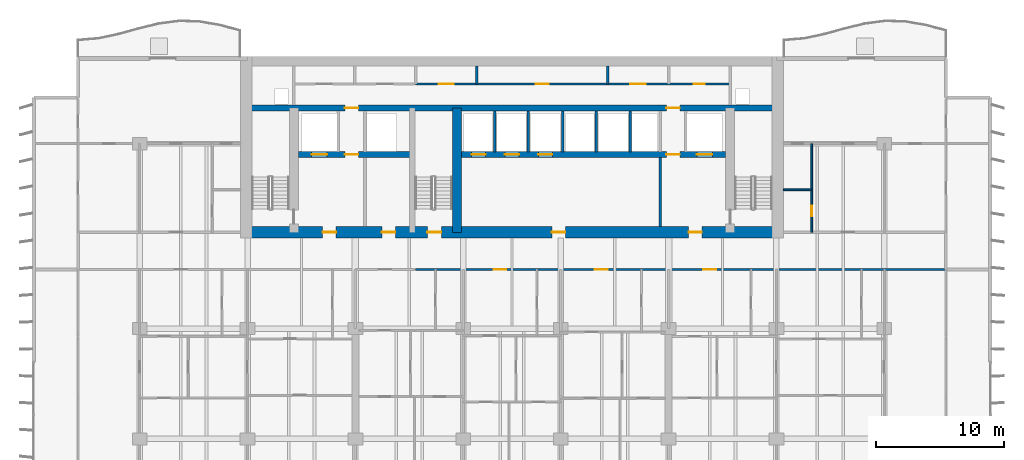
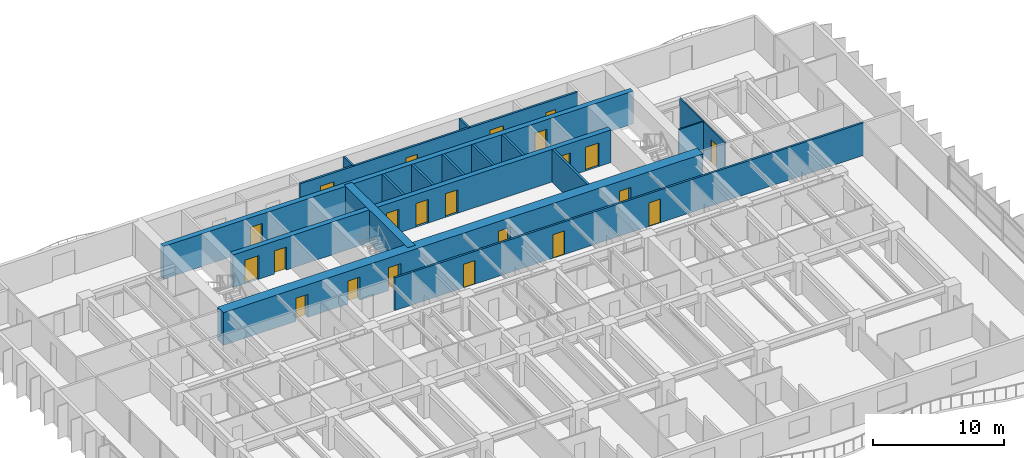
# One storey, part 11 of 18: 22 doors, 16 walls, 22 openings.
"""IFC4 building model written with IfcOpenShell, lengths in metres."""

from ifc_helpers import new_model, si_unit, direction, frame, frame_2d, origin, place, context, subcontext, project, spatial, rectangle, extrude, material, layer, layer_set, type_object, element, fill, save


model = new_model("IFC4")

# Units and contexts
model_context = context("Model", 3, precision=1e-05, world=origin(), true_north=direction((0.0, 1.0)))
body_context = subcontext(model_context, "Body", "Model", "MODEL_VIEW")
ifc_project = project(units=[si_unit("LENGTHUNIT", "METRE"), si_unit("AREAUNIT", "SQUARE_METRE"), si_unit("VOLUMEUNIT", "CUBIC_METRE"), si_unit("PLANEANGLEUNIT", "RADIAN"), si_unit("MASSUNIT", "GRAM", prefix="KILO")], contexts=[model_context])

# Site, building, storey
site_placement = place(None, origin())
site = spatial("IfcSite", under=ifc_project, at=site_placement, CompositionType="ELEMENT")
building_placement = place(site_placement, origin())
building = spatial("IfcBuilding", under=site, at=building_placement, Name="Caelmar Bay Residences", CompositionType="ELEMENT")
storey_placement = place(building_placement, frame((0.0, 0.0, 46.5)))
storey = spatial("IfcBuildingStorey", under=building, at=storey_placement, Name="L11", CompositionType="ELEMENT", Elevation=46.5)

# Wall
ifc_material_1 = material(Name="Concrete f'c 55 MPa (8,000 psi)", Category="concrete")
ifc_layer_1 = layer(ifc_material_1, 0.699951171875)
ifc_layer_set_1 = layer_set([ifc_layer_1], Name="Concrete f'c 55 MPa (8,000 psi)")
wall_type_1 = type_object("IfcWallType", Name="SW-COR-700", PredefinedType="SHEAR", material=ifc_layer_set_1)
wall_1_placement = place(storey_placement, frame((34.60009765625, 36.89990234375, 0.0), z_axis=(0.0, 0.0, 1.0), x_axis=(0.0, 1.0, 0.0)))
element("IfcWall", 1, at=wall_1_placement, inside=storey, type_object=wall_type_1, Name="L11 Core Structural Web Wall ST3E", PredefinedType="SHEAR", context=body_context, shape_type="SweptSolid", body=[
    extrude(rectangle(XDim=9.675048828125, YDim=0.699951171875, at=frame_2d((4.83740234375, 0.0))), origin(), (0.0, 0.0, 1.0), 3.050048828125),
])

# Wall, openings, doors
ifc_material_2 = material(Name="Concrete f'c 70 MPa (10,000 psi)", Category="concrete")
ifc_layer_2 = layer(ifc_material_2, 0.89990234375)
ifc_layer_set_2 = layer_set([ifc_layer_2], Name="Concrete f'c 70 MPa (10,000 psi)")
wall_type_2 = type_object("IfcWallType", Name="SW-COR-900", PredefinedType="SHEAR", material=ifc_layer_set_2)
wall_2_placement = place(storey_placement, frame((17.75, 36.89990234375, 0.0), z_axis=(0.0, 0.0, 1.0), x_axis=(1.0, 0.0, 0.0)))
wall_2 = element("IfcWall", 2, at=wall_2_placement, inside=storey, type_object=wall_type_2, Name="L11 Rear Core South Shear Wall", PredefinedType="SHEAR", context=body_context, shape_type="SweptSolid", body=[
    extrude(rectangle(XDim=42.300048828125, YDim=0.89990234375, at=frame_2d((21.14990234375, 0.0))), origin(), (0.0, 0.0, 1.0), 3.050048828125),
])
opening_1_placement = place(wall_2_placement, frame((14.550048828125, 0.0, 0.0)))
opening_1 = element("IfcOpeningElement", 3, at=opening_1_placement, cuts=wall_2, Name="Opening D-L11-106", PredefinedType="OPENING", context=body_context, shape_type="SweptSolid", body=[
    extrude(rectangle(XDim=1.10009765625, YDim=2.14990234375, at=frame_2d((0.550048828125, 1.074951171875))), frame((0.0, 0.4599609375, 0.0), z_axis=(0.0, -1.0, 0.0), x_axis=(1.0, 0.0, 0.0)), (0.0, 0.0, 1.0), 0.919921875),
])
opening_2_placement = place(wall_2_placement, frame((6.39990234375, 0.0, 0.0)))
opening_2 = element("IfcOpeningElement", 4, at=opening_2_placement, cuts=wall_2, Name="Opening D-L11-107", PredefinedType="OPENING", context=body_context, shape_type="SweptSolid", body=[
    extrude(rectangle(XDim=1.050048828125, YDim=2.14990234375, at=frame_2d((0.52490234375, 1.074951171875))), frame((0.0, 0.4599609375, 0.0), z_axis=(0.0, -1.0, 0.0), x_axis=(1.0, 0.0, 0.0)), (0.0, 0.0, 1.0), 0.919921875),
])
opening_3_placement = place(wall_2_placement, frame((34.89990234375, 0.0, 0.0)))
opening_3 = element("IfcOpeningElement", 5, at=opening_3_placement, cuts=wall_2, Name="Opening D-L11-110", PredefinedType="OPENING", context=body_context, shape_type="SweptSolid", body=[
    extrude(rectangle(XDim=1.050048828125, YDim=2.14990234375, at=frame_2d((0.52490234375, 1.074951171875))), frame((0.0, 0.4599609375, 0.0), z_axis=(0.0, -1.0, 0.0), x_axis=(1.0, 0.0, 0.0)), (0.0, 0.0, 1.0), 0.919921875),
])
opening_4_placement = place(wall_2_placement, frame((11.012451171875, 0.0, 0.0)))
opening_4 = element("IfcOpeningElement", 6, at=opening_4_placement, cuts=wall_2, Name="Opening D-L11-113", PredefinedType="OPENING", context=body_context, shape_type="SweptSolid", body=[
    extrude(rectangle(XDim=1.050048828125, YDim=2.14990234375, at=frame_2d((0.52490234375, 1.074951171875))), frame((0.0, 0.4599609375, 0.0), z_axis=(0.0, -1.0, 0.0), x_axis=(1.0, 0.0, 0.0)), (0.0, 0.0, 1.0), 0.919921875),
])
opening_5_placement = place(wall_2_placement, frame((24.25, 0.0, 0.0)))
opening_5 = element("IfcOpeningElement", 7, at=opening_5_placement, cuts=wall_2, Name="Opening D-L11-114", PredefinedType="OPENING", context=body_context, shape_type="SweptSolid", body=[
    extrude(rectangle(XDim=1.050048828125, YDim=2.14990234375, at=frame_2d((0.52490234375, 1.074951171875))), frame((0.0, 0.4599609375, 0.0), z_axis=(0.0, -1.0, 0.0), x_axis=(1.0, 0.0, 0.0)), (0.0, 0.0, 1.0), 0.919921875),
])
ifc_material_3 = material(Name="Fire-rated steel and walnut architectural door assembly", Category="steel")
ifc_layer_3 = layer(ifc_material_3, 0.050048828125)
ifc_layer_set_3 = layer_set([ifc_layer_3], Name="Fire-rated steel and walnut architectural door assembly")
door_type_1 = type_object("IfcDoorType", Name="D-FSAE-1050", OperationType="NOTDEFINED", PredefinedType="DOOR", material=ifc_layer_set_3)
door_1_placement = place(opening_2_placement, origin())
door_1 = element("IfcDoor", 8, at=door_1_placement, inside=storey, type_object=door_type_1, Name="L11 Firefighting Lobby West Door", OperationType="SINGLE_SWING_RIGHT", OverallHeight=2.14990234375, OverallWidth=1.050048828125, PredefinedType="DOOR", context=body_context, shape_type="SweptSolid", body=[
    extrude(rectangle(XDim=1.050048828125, YDim=2.14990234375, at=frame_2d((0.52490234375, 1.074951171875))), frame((0.0, 0.02490234375, 0.0), z_axis=(0.0, -1.0, 0.0), x_axis=(1.0, 0.0, 0.0)), (0.0, 0.0, 1.0), 0.050048828125),
])
fill(opening_2, door_1)
door_2_placement = place(opening_3_placement, origin())
door_2 = element("IfcDoor", 9, at=door_2_placement, inside=storey, type_object=door_type_1, Name="L11 Firefighting Lobby East Door", OperationType="SINGLE_SWING_LEFT", OverallHeight=2.14990234375, OverallWidth=1.050048828125, PredefinedType="DOOR", context=body_context, shape_type="SweptSolid", body=[
    extrude(rectangle(XDim=1.050048828125, YDim=2.14990234375, at=frame_2d((0.52490234375, 1.074951171875))), frame((0.0, 0.02490234375, 0.0), z_axis=(0.0, -1.0, 0.0), x_axis=(1.0, 0.0, 0.0)), (0.0, 0.0, 1.0), 0.050048828125),
])
fill(opening_3, door_2)
door_3_placement = place(opening_4_placement, origin())
door_3 = element("IfcDoor", 10, at=door_3_placement, inside=storey, type_object=door_type_1, Name="L11 West Lift Lobby Door", OperationType="SINGLE_SWING_RIGHT", OverallHeight=2.14990234375, OverallWidth=1.050048828125, PredefinedType="DOOR", context=body_context, shape_type="SweptSolid", body=[
    extrude(rectangle(XDim=1.050048828125, YDim=2.14990234375, at=frame_2d((0.52490234375, 1.074951171875))), frame((0.0, 0.02490234375, 0.0), z_axis=(0.0, -1.0, 0.0), x_axis=(1.0, 0.0, 0.0)), (0.0, 0.0, 1.0), 0.050048828125),
])
fill(opening_4, door_3)
door_4_placement = place(opening_5_placement, origin())
door_4 = element("IfcDoor", 11, at=door_4_placement, inside=storey, type_object=door_type_1, Name="L11 Passenger Lift Lobby Door", OperationType="SINGLE_SWING_LEFT", OverallHeight=2.14990234375, OverallWidth=1.050048828125, PredefinedType="DOOR", context=body_context, shape_type="SweptSolid", body=[
    extrude(rectangle(XDim=1.050048828125, YDim=2.14990234375, at=frame_2d((0.52490234375, 1.074951171875))), frame((0.0, 0.02490234375, 0.0), z_axis=(0.0, -1.0, 0.0), x_axis=(1.0, 0.0, 0.0)), (0.0, 0.0, 1.0), 0.050048828125),
])
fill(opening_5, door_4)
ifc_layer_4 = layer(ifc_material_3, 0.050048828125)
ifc_layer_set_4 = layer_set([ifc_layer_4], Name="Fire-rated steel and walnut architectural door assembly")
door_type_2 = type_object("IfcDoorType", Name="D-STAIR-1100", OperationType="NOTDEFINED", PredefinedType="DOOR", material=ifc_layer_set_4)
door_5_placement = place(opening_1_placement, origin())
door_5 = element("IfcDoor", 12, at=door_5_placement, inside=storey, type_object=door_type_2, Name="L11 Exit Stair ST3 Door", OperationType="SINGLE_SWING_LEFT", OverallHeight=2.14990234375, OverallWidth=1.10009765625, PredefinedType="DOOR", context=body_context, shape_type="SweptSolid", body=[
    extrude(rectangle(XDim=1.10009765625, YDim=2.14990234375, at=frame_2d((0.550048828125, 1.074951171875))), frame((0.0, 0.02490234375, 0.0), z_axis=(0.0, -1.0, 0.0), x_axis=(1.0, 0.0, 0.0)), (0.0, 0.0, 1.0), 0.050048828125),
])
fill(opening_1, door_5)

ifc_layer_5 = layer(ifc_material_2, 0.449951171875)
ifc_layer_set_5 = layer_set([ifc_layer_5], Name="Concrete f'c 70 MPa (10,000 psi)")
wall_type_3 = type_object("IfcWallType", Name="SW-WEB-450", PredefinedType="SHEAR", material=ifc_layer_set_5)
wall_3_placement = place(storey_placement, frame((22.25, 42.949951171875, 0.0), z_axis=(0.0, 0.0, 1.0), x_axis=(1.0, 0.0, 0.0)))
wall_3 = element("IfcWall", 13, at=wall_3_placement, inside=storey, type_object=wall_type_3, Name="L11 Core Structural Web Wall LFR", PredefinedType="SHEAR", context=body_context, shape_type="SweptSolid", body=[
    extrude(rectangle(XDim=33.300048828125, YDim=0.449951171875, at=frame_2d((16.64990234375, 0.0))), origin(), (0.0, 0.0, 1.0), 3.050048828125),
])
opening_6_placement = place(wall_3_placement, frame((1.050048828125, 0.0, 0.0)))
opening_6 = element("IfcOpeningElement", 14, at=opening_6_placement, cuts=wall_3, Name="Opening LD2", PredefinedType="OPENING", context=body_context, shape_type="SweptSolid", body=[
    extrude(rectangle(XDim=1.199951171875, YDim=2.199951171875, at=frame_2d((0.60009765625, 1.10009765625))), frame((0.0, 0.23486328125, 0.0), z_axis=(0.0, -1.0, 0.0), x_axis=(1.0, 0.0, 0.0)), (0.0, 0.0, 1.0), 0.469970703125),
])
opening_7_placement = place(wall_3_placement, frame((31.050048828125, 0.0, 0.0)))
opening_7 = element("IfcOpeningElement", 15, at=opening_7_placement, cuts=wall_3, Name="Opening LD2", PredefinedType="OPENING", context=body_context, shape_type="SweptSolid", body=[
    extrude(rectangle(XDim=1.199951171875, YDim=2.199951171875, at=frame_2d((0.60009765625, 1.10009765625))), frame((0.0, 0.23486328125, 0.0), z_axis=(0.0, -1.0, 0.0), x_axis=(1.0, 0.0, 0.0)), (0.0, 0.0, 1.0), 0.469970703125),
])
opening_8_placement = place(wall_3_placement, frame((13.5, 0.0, 0.0)))
opening_8 = element("IfcOpeningElement", 16, at=opening_8_placement, cuts=wall_3, Name="Opening LD1", PredefinedType="OPENING", context=body_context, shape_type="SweptSolid", body=[
    extrude(rectangle(XDim=1.10009765625, YDim=2.199951171875, at=frame_2d((0.550048828125, 1.10009765625))), frame((0.0, 0.23486328125, 0.0), z_axis=(0.0, -1.0, 0.0), x_axis=(1.0, 0.0, 0.0)), (0.0, 0.0, 1.0), 0.469970703125),
])
opening_9_placement = place(wall_3_placement, frame((16.10009765625, 0.0, 0.0)))
opening_9 = element("IfcOpeningElement", 17, at=opening_9_placement, cuts=wall_3, Name="Opening LD1", PredefinedType="OPENING", context=body_context, shape_type="SweptSolid", body=[
    extrude(rectangle(XDim=1.10009765625, YDim=2.199951171875, at=frame_2d((0.550048828125, 1.10009765625))), frame((0.0, 0.23486328125, 0.0), z_axis=(0.0, -1.0, 0.0), x_axis=(1.0, 0.0, 0.0)), (0.0, 0.0, 1.0), 0.469970703125),
])
opening_10_placement = place(wall_3_placement, frame((18.699951171875, 0.0, 0.0)))
opening_10 = element("IfcOpeningElement", 18, at=opening_10_placement, cuts=wall_3, Name="Opening LD1", PredefinedType="OPENING", context=body_context, shape_type="SweptSolid", body=[
    extrude(rectangle(XDim=1.10009765625, YDim=2.199951171875, at=frame_2d((0.550048828125, 1.10009765625))), frame((0.0, 0.23486328125, 0.0), z_axis=(0.0, -1.0, 0.0), x_axis=(1.0, 0.0, 0.0)), (0.0, 0.0, 1.0), 0.469970703125),
])
opening_11_placement = place(wall_3_placement, frame((3.625, 0.0, 0.0)))
opening_11 = element("IfcOpeningElement", 19, at=opening_11_placement, cuts=wall_3, Name="Opening D-L11-109", PredefinedType="OPENING", context=body_context, shape_type="SweptSolid", body=[
    extrude(rectangle(XDim=1.050048828125, YDim=2.14990234375, at=frame_2d((0.52490234375, 1.074951171875))), frame((0.0, 0.23486328125, 0.0), z_axis=(0.0, -1.0, 0.0), x_axis=(1.0, 0.0, 0.0)), (0.0, 0.0, 1.0), 0.469970703125),
])
opening_12_placement = place(wall_3_placement, frame((28.675048828125, 0.0, 0.0)))
opening_12 = element("IfcOpeningElement", 20, at=opening_12_placement, cuts=wall_3, Name="Opening D-L11-112", PredefinedType="OPENING", context=body_context, shape_type="SweptSolid", body=[
    extrude(rectangle(XDim=1.050048828125, YDim=2.14990234375, at=frame_2d((0.52490234375, 1.074951171875))), frame((0.0, 0.23486328125, 0.0), z_axis=(0.0, -1.0, 0.0), x_axis=(1.0, 0.0, 0.0)), (0.0, 0.0, 1.0), 0.469970703125),
])
door_6_placement = place(opening_11_placement, origin())
door_6 = element("IfcDoor", 21, at=door_6_placement, inside=storey, type_object=door_type_1, Name="L11 Firefighting Lobby West Door", OperationType="SINGLE_SWING_RIGHT", OverallHeight=2.14990234375, OverallWidth=1.050048828125, PredefinedType="DOOR", context=body_context, shape_type="SweptSolid", body=[
    extrude(rectangle(XDim=1.050048828125, YDim=2.14990234375, at=frame_2d((0.52490234375, 1.074951171875))), frame((0.0, 0.02490234375, 0.0), z_axis=(0.0, -1.0, 0.0), x_axis=(1.0, 0.0, 0.0)), (0.0, 0.0, 1.0), 0.050048828125),
])
fill(opening_11, door_6)
door_7_placement = place(opening_12_placement, origin())
door_7 = element("IfcDoor", 22, at=door_7_placement, inside=storey, type_object=door_type_1, Name="L11 Firefighting Lobby East Door", OperationType="SINGLE_SWING_LEFT", OverallHeight=2.14990234375, OverallWidth=1.050048828125, PredefinedType="DOOR", context=body_context, shape_type="SweptSolid", body=[
    extrude(rectangle(XDim=1.050048828125, YDim=2.14990234375, at=frame_2d((0.52490234375, 1.074951171875))), frame((0.0, 0.02490234375, 0.0), z_axis=(0.0, -1.0, 0.0), x_axis=(1.0, 0.0, 0.0)), (0.0, 0.0, 1.0), 0.050048828125),
])
fill(opening_12, door_7)
ifc_material_4 = material(Name="Brushed bronze stainless-steel fire-rated lift landing doors", Category="steel")
ifc_layer_6 = layer(ifc_material_4, 0.050048828125)
ifc_layer_set_6 = layer_set([ifc_layer_6], Name="Brushed bronze stainless-steel fire-rated lift landing doors")
door_type_3 = type_object("IfcDoorType", Name="D-LND-1100", OperationType="DOUBLE_DOOR_SLIDING", PredefinedType="DOOR", material=ifc_layer_set_6)
door_8_placement = place(opening_8_placement, origin())
door_8 = element("IfcDoor", 23, at=door_8_placement, inside=storey, type_object=door_type_3, Name="L11 LP1 Sliding Landing Door", OperationType="DOUBLE_DOOR_SLIDING", OverallHeight=2.199951171875, OverallWidth=1.10009765625, PredefinedType="DOOR", context=body_context, shape_type="SweptSolid", body=[
    extrude(rectangle(XDim=1.10009765625, YDim=2.199951171875, at=frame_2d((0.550048828125, 1.10009765625))), frame((0.0, 0.02490234375, 0.0), z_axis=(0.0, -1.0, 0.0), x_axis=(1.0, 0.0, 0.0)), (0.0, 0.0, 1.0), 0.050048828125),
])
fill(opening_8, door_8)
door_9_placement = place(opening_9_placement, origin())
door_9 = element("IfcDoor", 24, at=door_9_placement, inside=storey, type_object=door_type_3, Name="L11 LP2 Sliding Landing Door", OperationType="DOUBLE_DOOR_SLIDING", OverallHeight=2.199951171875, OverallWidth=1.10009765625, PredefinedType="DOOR", context=body_context, shape_type="SweptSolid", body=[
    extrude(rectangle(XDim=1.10009765625, YDim=2.199951171875, at=frame_2d((0.550048828125, 1.10009765625))), frame((0.0, 0.02490234375, 0.0), z_axis=(0.0, -1.0, 0.0), x_axis=(1.0, 0.0, 0.0)), (0.0, 0.0, 1.0), 0.050048828125),
])
fill(opening_9, door_9)
door_10_placement = place(opening_10_placement, origin())
door_10 = element("IfcDoor", 25, at=door_10_placement, inside=storey, type_object=door_type_3, Name="L11 LP3 Sliding Landing Door", OperationType="DOUBLE_DOOR_SLIDING", OverallHeight=2.199951171875, OverallWidth=1.10009765625, PredefinedType="DOOR", context=body_context, shape_type="SweptSolid", body=[
    extrude(rectangle(XDim=1.10009765625, YDim=2.199951171875, at=frame_2d((0.550048828125, 1.10009765625))), frame((0.0, 0.02490234375, 0.0), z_axis=(0.0, -1.0, 0.0), x_axis=(1.0, 0.0, 0.0)), (0.0, 0.0, 1.0), 0.050048828125),
])
fill(opening_10, door_10)
ifc_material_5 = material(Name="Brushed stainless-steel FSAE sliding landing door", Category="steel")
ifc_layer_7 = layer(ifc_material_5, 0.050048828125)
ifc_layer_set_7 = layer_set([ifc_layer_7], Name="Brushed stainless-steel FSAE sliding landing door")
door_type_4 = type_object("IfcDoorType", Name="D-LND-1200", OperationType="DOUBLE_DOOR_SLIDING", PredefinedType="DOOR", material=ifc_layer_set_7)
door_11_placement = place(opening_6_placement, origin())
door_11 = element("IfcDoor", 26, at=door_11_placement, inside=storey, type_object=door_type_4, Name="L11 LF1 Sliding Landing Door", OperationType="DOUBLE_DOOR_SLIDING", OverallHeight=2.199951171875, OverallWidth=1.199951171875, PredefinedType="DOOR", context=body_context, shape_type="SweptSolid", body=[
    extrude(rectangle(XDim=1.199951171875, YDim=2.199951171875, at=frame_2d((0.60009765625, 1.10009765625))), frame((0.0, 0.02490234375, 0.0), z_axis=(0.0, -1.0, 0.0), x_axis=(1.0, 0.0, 0.0)), (0.0, 0.0, 1.0), 0.050048828125),
])
fill(opening_6, door_11)
door_12_placement = place(opening_7_placement, origin())
door_12 = element("IfcDoor", 27, at=door_12_placement, inside=storey, type_object=door_type_4, Name="L11 LF2 Sliding Landing Door", OperationType="DOUBLE_DOOR_SLIDING", OverallHeight=2.199951171875, OverallWidth=1.199951171875, PredefinedType="DOOR", context=body_context, shape_type="SweptSolid", body=[
    extrude(rectangle(XDim=1.199951171875, YDim=2.199951171875, at=frame_2d((0.60009765625, 1.10009765625))), frame((0.0, 0.02490234375, 0.0), z_axis=(0.0, -1.0, 0.0), x_axis=(1.0, 0.0, 0.0)), (0.0, 0.0, 1.0), 0.050048828125),
])
fill(opening_7, door_12)

wall_4_placement = place(storey_placement, frame((18.199951171875, 46.574951171875, 0.0), z_axis=(0.0, 0.0, 1.0), x_axis=(1.0, 0.0, 0.0)))
wall_4 = element("IfcWall", 28, at=wall_4_placement, inside=storey, type_object=wall_type_3, Name="L11 Core Structural Web Wall SRVS", PredefinedType="SHEAR", context=body_context, shape_type="SweptSolid", body=[
    extrude(rectangle(XDim=41.400146484375, YDim=0.449951171875, at=frame_2d((20.7001953125, 0.0))), origin(), (0.0, 0.0, 1.0), 3.050048828125),
])
opening_13_placement = place(wall_4_placement, frame((7.675048828125, 0.0, 0.0)))
opening_13 = element("IfcOpeningElement", 29, at=opening_13_placement, cuts=wall_4, Name="Opening D-L11-115", PredefinedType="OPENING", context=body_context, shape_type="SweptSolid", body=[
    extrude(rectangle(XDim=1.050048828125, YDim=2.14990234375, at=frame_2d((0.52490234375, 1.074951171875))), frame((0.0, 0.23486328125, 0.0), z_axis=(0.0, -1.0, 0.0), x_axis=(1.0, 0.0, 0.0)), (0.0, 0.0, 1.0), 0.469970703125),
])
opening_14_placement = place(wall_4_placement, frame((32.72509765625, 0.0, 0.0)))
opening_14 = element("IfcOpeningElement", 30, at=opening_14_placement, cuts=wall_4, Name="Opening D-L11-116", PredefinedType="OPENING", context=body_context, shape_type="SweptSolid", body=[
    extrude(rectangle(XDim=1.050048828125, YDim=2.14990234375, at=frame_2d((0.52490234375, 1.074951171875))), frame((0.0, 0.23486328125, 0.0), z_axis=(0.0, -1.0, 0.0), x_axis=(1.0, 0.0, 0.0)), (0.0, 0.0, 1.0), 0.469970703125),
])
door_13_placement = place(opening_13_placement, origin())
door_13 = element("IfcDoor", 31, at=door_13_placement, inside=storey, type_object=door_type_1, Name="L11 Core Service Corridor Door", OperationType="SINGLE_SWING_RIGHT", OverallHeight=2.14990234375, OverallWidth=1.050048828125, PredefinedType="DOOR", context=body_context, shape_type="SweptSolid", body=[
    extrude(rectangle(XDim=1.050048828125, YDim=2.14990234375, at=frame_2d((0.52490234375, 1.074951171875))), frame((0.0, 0.02490234375, 0.0), z_axis=(0.0, -1.0, 0.0), x_axis=(1.0, 0.0, 0.0)), (0.0, 0.0, 1.0), 0.050048828125),
])
fill(opening_13, door_13)
door_14_placement = place(opening_14_placement, origin())
door_14 = element("IfcDoor", 32, at=door_14_placement, inside=storey, type_object=door_type_1, Name="L11 Core Service Corridor Door", OperationType="SINGLE_SWING_LEFT", OverallHeight=2.14990234375, OverallWidth=1.050048828125, PredefinedType="DOOR", context=body_context, shape_type="SweptSolid", body=[
    extrude(rectangle(XDim=1.050048828125, YDim=2.14990234375, at=frame_2d((0.52490234375, 1.074951171875))), frame((0.0, 0.02490234375, 0.0), z_axis=(0.0, -1.0, 0.0), x_axis=(1.0, 0.0, 0.0)), (0.0, 0.0, 1.0), 0.050048828125),
])
fill(opening_14, door_14)

# Walls
ifc_material_6 = material(Name="Double-stud acoustic fire-rated gypsum partition 180 mm")
ifc_layer_8 = layer(ifc_material_6, 0.179931640625)
ifc_layer_set_8 = layer_set([ifc_layer_8], Name="Double-stud acoustic fire-rated gypsum partition 180 mm")
wall_type_4 = type_object("IfcWallType", Name="W-COR-200", PredefinedType="PARTITIONING", material=ifc_layer_set_8)
for number, where, z_axis, x_axis, name in (
    (33, (36.14990234375, 48.449951171875, 0.0), (0.0, 0.0, 1.0), (0.0, 1.0, 0.0), "L11 Partition Wall V051"),
    (34, (46.35009765625, 48.449951171875, 0.0), (0.0, 0.0, 1.0), (0.0, 1.0, 0.0), "L11 Partition Wall V069"),
):
    element("IfcWall", number, at=place(storey_placement, frame(where, z_axis=z_axis, x_axis=x_axis)), inside=storey, type_object=wall_type_4, Name=name, PredefinedType="PARTITIONING", context=body_context, shape_type="SweptSolid", body=[
        extrude(rectangle(XDim=1.405029296875, YDim=0.179931640625, at=frame_2d((0.70263671875, 0.0))), origin(), (0.0, 0.0, 1.0), 3.050048828125),
    ])

# Wall, openings, doors
wall_5_placement = place(storey_placement, frame((31.39990234375, 34.0, 0.0), z_axis=(0.0, 0.0, 1.0), x_axis=(1.0, 0.0, 0.0)))
wall_5 = element("IfcWall", 35, at=wall_5_placement, inside=storey, type_object=wall_type_4, Name="L11 Partition Wall H137", PredefinedType="PARTITIONING", context=body_context, shape_type="SweptSolid", body=[
    extrude(rectangle(XDim=41.300048828125, YDim=0.179931640625, at=frame_2d((20.64990234375, 0.0))), origin(), (0.0, 0.0, 1.0), 3.050048828125),
])
opening_15_placement = place(wall_5_placement, frame((6.070068359375, 0.0, 0.0)))
opening_15 = element("IfcOpeningElement", 36, at=opening_15_placement, cuts=wall_5, Name="Opening D-L11-141", PredefinedType="OPENING", context=body_context, shape_type="SweptSolid", body=[
    extrude(rectangle(XDim=1.0, YDim=2.199951171875, at=frame_2d((0.5, 1.10009765625))), frame((0.0, 0.099853515625, 0.0), z_axis=(0.0, -1.0, 0.0), x_axis=(1.0, 0.0, 0.0)), (0.0, 0.0, 1.0), 0.199951171875),
])
opening_16_placement = place(wall_5_placement, frame((13.944580078125, 0.0, 0.0)))
opening_16 = element("IfcOpeningElement", 37, at=opening_16_placement, cuts=wall_5, Name="Opening D-L11-148", PredefinedType="OPENING", context=body_context, shape_type="SweptSolid", body=[
    extrude(rectangle(XDim=1.0, YDim=2.199951171875, at=frame_2d((0.5, 1.10009765625))), frame((0.0, 0.099853515625, 0.0), z_axis=(0.0, -1.0, 0.0), x_axis=(1.0, 0.0, 0.0)), (0.0, 0.0, 1.0), 0.199951171875),
])
opening_17_placement = place(wall_5_placement, frame((22.41357421875, 0.0, 0.0)))
opening_17 = element("IfcOpeningElement", 38, at=opening_17_placement, cuts=wall_5, Name="Opening D-L11-155", PredefinedType="OPENING", context=body_context, shape_type="SweptSolid", body=[
    extrude(rectangle(XDim=1.0, YDim=2.199951171875, at=frame_2d((0.5, 1.10009765625))), frame((0.0, 0.099853515625, 0.0), z_axis=(0.0, -1.0, 0.0), x_axis=(1.0, 0.0, 0.0)), (0.0, 0.0, 1.0), 0.199951171875),
])
ifc_layer_9 = layer(ifc_material_3, 0.050048828125)
ifc_layer_set_9 = layer_set([ifc_layer_9], Name="Fire-rated steel and walnut architectural door assembly")
door_type_5 = type_object("IfcDoorType", Name="D-UNIT-1000", OperationType="NOTDEFINED", PredefinedType="DOOR", material=ifc_layer_set_9)
door_15_placement = place(opening_15_placement, origin())
door_15 = element("IfcDoor", 39, at=door_15_placement, inside=storey, type_object=door_type_5, Name="L11 Residence 03 Apartment Hall Door", OperationType="SINGLE_SWING_RIGHT", OverallHeight=2.199951171875, OverallWidth=1.0, PredefinedType="DOOR", context=body_context, shape_type="SweptSolid", body=[
    extrude(rectangle(XDim=1.0, YDim=2.199951171875, at=frame_2d((0.5, 1.10009765625))), frame((0.0, 0.02490234375, 0.0), z_axis=(0.0, -1.0, 0.0), x_axis=(1.0, 0.0, 0.0)), (0.0, 0.0, 1.0), 0.050048828125),
])
fill(opening_15, door_15)
door_16_placement = place(opening_16_placement, origin())
door_16 = element("IfcDoor", 40, at=door_16_placement, inside=storey, type_object=door_type_5, Name="L11 Residence 04 Apartment Hall Door", OperationType="SINGLE_SWING_LEFT", OverallHeight=2.199951171875, OverallWidth=1.0, PredefinedType="DOOR", context=body_context, shape_type="SweptSolid", body=[
    extrude(rectangle(XDim=1.0, YDim=2.199951171875, at=frame_2d((0.5, 1.10009765625))), frame((0.0, 0.02490234375, 0.0), z_axis=(0.0, -1.0, 0.0), x_axis=(1.0, 0.0, 0.0)), (0.0, 0.0, 1.0), 0.050048828125),
])
fill(opening_16, door_16)
door_17_placement = place(opening_17_placement, origin())
door_17 = element("IfcDoor", 41, at=door_17_placement, inside=storey, type_object=door_type_5, Name="L11 Residence 05 Apartment Hall Door", OperationType="SINGLE_SWING_RIGHT", OverallHeight=2.199951171875, OverallWidth=1.0, PredefinedType="DOOR", context=body_context, shape_type="SweptSolid", body=[
    extrude(rectangle(XDim=1.0, YDim=2.199951171875, at=frame_2d((0.5, 1.10009765625))), frame((0.0, 0.02490234375, 0.0), z_axis=(0.0, -1.0, 0.0), x_axis=(1.0, 0.0, 0.0)), (0.0, 0.0, 1.0), 0.050048828125),
])
fill(opening_17, door_17)

wall_6_placement = place(storey_placement, frame((31.39990234375, 48.449951171875, 0.0), z_axis=(0.0, 0.0, 1.0), x_axis=(1.0, 0.0, 0.0)))
wall_6 = element("IfcWall", 42, at=wall_6_placement, inside=storey, type_object=wall_type_4, Name="L11 Partition Wall H147", PredefinedType="PARTITIONING", context=body_context, shape_type="SweptSolid", body=[
    extrude(rectangle(XDim=24.5, YDim=0.179931640625, at=frame_2d((12.25, 0.0))), origin(), (0.0, 0.0, 1.0), 3.050048828125),
])
opening_18_placement = place(wall_6_placement, frame((1.77490234375, 0.0, 0.0)))
opening_18 = element("IfcOpeningElement", 43, at=opening_18_placement, cuts=wall_6, Name="Opening D-L11-119", PredefinedType="OPENING", context=body_context, shape_type="SweptSolid", body=[
    extrude(rectangle(XDim=1.199951171875, YDim=2.199951171875, at=frame_2d((0.60009765625, 1.10009765625))), frame((0.0, 0.099853515625, 0.0), z_axis=(0.0, -1.0, 0.0), x_axis=(1.0, 0.0, 0.0)), (0.0, 0.0, 1.0), 0.199951171875),
])
opening_19_placement = place(wall_6_placement, frame((9.35009765625, 0.0, 0.0)))
opening_19 = element("IfcOpeningElement", 44, at=opening_19_placement, cuts=wall_6, Name="Opening D-L11-120", PredefinedType="OPENING", context=body_context, shape_type="SweptSolid", body=[
    extrude(rectangle(XDim=1.0, YDim=2.199951171875, at=frame_2d((0.5, 1.10009765625))), frame((0.0, 0.099853515625, 0.0), z_axis=(0.0, -1.0, 0.0), x_axis=(1.0, 0.0, 0.0)), (0.0, 0.0, 1.0), 0.199951171875),
])
opening_20_placement = place(wall_6_placement, frame((16.72509765625, 0.0, 0.0)))
opening_20 = element("IfcOpeningElement", 45, at=opening_20_placement, cuts=wall_6, Name="Opening D-L11-121", PredefinedType="OPENING", context=body_context, shape_type="SweptSolid", body=[
    extrude(rectangle(XDim=1.199951171875, YDim=2.199951171875, at=frame_2d((0.60009765625, 1.10009765625))), frame((0.0, 0.099853515625, 0.0), z_axis=(0.0, -1.0, 0.0), x_axis=(1.0, 0.0, 0.0)), (0.0, 0.0, 1.0), 0.199951171875),
])
opening_21_placement = place(wall_6_placement, frame((21.675048828125, 0.0, 0.0)))
opening_21 = element("IfcOpeningElement", 46, at=opening_21_placement, cuts=wall_6, Name="Opening D-L11-122", PredefinedType="OPENING", context=body_context, shape_type="SweptSolid", body=[
    extrude(rectangle(XDim=0.85009765625, YDim=2.10009765625, at=frame_2d((0.425048828125, 1.050048828125))), frame((0.0, 0.099853515625, 0.0), z_axis=(0.0, -1.0, 0.0), x_axis=(1.0, 0.0, 0.0)), (0.0, 0.0, 1.0), 0.199951171875),
])
ifc_layer_10 = layer(ifc_material_3, 0.050048828125)
ifc_layer_set_10 = layer_set([ifc_layer_10], Name="Fire-rated steel and walnut architectural door assembly")
door_type_6 = type_object("IfcDoorType", Name="D-CORE-850", OperationType="NOTDEFINED", PredefinedType="DOOR", material=ifc_layer_set_10)
door_18_placement = place(opening_21_placement, origin())
door_18 = element("IfcDoor", 47, at=door_18_placement, inside=storey, type_object=door_type_6, Name="L11 Staff Restroom Door", OperationType="SINGLE_SWING_LEFT", OverallHeight=2.10009765625, OverallWidth=0.85009765625, PredefinedType="DOOR", context=body_context, shape_type="SweptSolid", body=[
    extrude(rectangle(XDim=0.85009765625, YDim=2.10009765625, at=frame_2d((0.425048828125, 1.050048828125))), frame((0.0, 0.02490234375, 0.0), z_axis=(0.0, -1.0, 0.0), x_axis=(1.0, 0.0, 0.0)), (0.0, 0.0, 1.0), 0.050048828125),
])
fill(opening_21, door_18)
ifc_layer_11 = layer(ifc_material_3, 0.050048828125)
ifc_layer_set_11 = layer_set([ifc_layer_11], Name="Fire-rated steel and walnut architectural door assembly")
door_type_7 = type_object("IfcDoorType", Name="D-PLANT-1200", OperationType="NOTDEFINED", PredefinedType="DOOR", material=ifc_layer_set_11)
door_19_placement = place(opening_18_placement, origin())
door_19 = element("IfcDoor", 48, at=door_19_placement, inside=storey, type_object=door_type_7, Name="L11 Low-Voltage Data Closet Door", OperationType="SINGLE_SWING_RIGHT", OverallHeight=2.199951171875, OverallWidth=1.199951171875, PredefinedType="DOOR", context=body_context, shape_type="SweptSolid", body=[
    extrude(rectangle(XDim=1.199951171875, YDim=2.199951171875, at=frame_2d((0.60009765625, 1.10009765625))), frame((0.0, 0.02490234375, 0.0), z_axis=(0.0, -1.0, 0.0), x_axis=(1.0, 0.0, 0.0)), (0.0, 0.0, 1.0), 0.050048828125),
])
fill(opening_18, door_19)
door_20_placement = place(opening_20_placement, origin())
door_20 = element("IfcDoor", 49, at=door_20_placement, inside=storey, type_object=door_type_7, Name="L11 Valet Trunk Closet Door", OperationType="SINGLE_SWING_RIGHT", OverallHeight=2.199951171875, OverallWidth=1.199951171875, PredefinedType="DOOR", context=body_context, shape_type="SweptSolid", body=[
    extrude(rectangle(XDim=1.199951171875, YDim=2.199951171875, at=frame_2d((0.60009765625, 1.10009765625))), frame((0.0, 0.02490234375, 0.0), z_axis=(0.0, -1.0, 0.0), x_axis=(1.0, 0.0, 0.0)), (0.0, 0.0, 1.0), 0.050048828125),
])
fill(opening_20, door_20)
door_21_placement = place(opening_19_placement, origin())
door_21 = element("IfcDoor", 50, at=door_21_placement, inside=storey, type_object=door_type_5, Name="L11 Mail Sorting Office Door", OperationType="SINGLE_SWING_LEFT", OverallHeight=2.199951171875, OverallWidth=1.0, PredefinedType="DOOR", context=body_context, shape_type="SweptSolid", body=[
    extrude(rectangle(XDim=1.0, YDim=2.199951171875, at=frame_2d((0.5, 1.10009765625))), frame((0.0, 0.02490234375, 0.0), z_axis=(0.0, -1.0, 0.0), x_axis=(1.0, 0.0, 0.0)), (0.0, 0.0, 1.0), 0.050048828125),
])
fill(opening_19, door_21)

# Walls
ifc_material_7 = material(Name="Fire-rated masonry and gypsum shaftliner assembly 200 mm", Category="masonry")
ifc_layer_12 = layer(ifc_material_7, 0.199951171875)
ifc_layer_set_12 = layer_set([ifc_layer_12], Name="Fire-rated masonry and gypsum shaftliner assembly 200 mm")
wall_type_5 = type_object("IfcWallType", Name="W-FSAE-200", PredefinedType="PARTITIONING", material=ifc_layer_set_12)
for number, where, z_axis, x_axis, name in (
    (51, (37.550048828125, 43.169921875, 0.0), (0.0, 0.0, 1.0), (0.0, 1.0, 0.0), "L11 Partition Wall V052"),
    (52, (40.14990234375, 43.169921875, 0.0), (0.0, 0.0, 1.0), (0.0, 1.0, 0.0), "L11 Partition Wall V059"),
    (53, (42.85009765625, 43.169921875, 0.0), (0.0, 0.0, 1.0), (0.0, 1.0, 0.0), "L11 Partition Wall V067"),
    (54, (45.449951171875, 43.169921875, 0.0), (0.0, 0.0, 1.0), (0.0, 1.0, 0.0), "L11 Partition Wall V068"),
    (55, (48.10009765625, 43.169921875, 0.0), (0.0, 0.0, 1.0), (0.0, 1.0, 0.0), "L11 Partition Wall V076"),
):
    element("IfcWall", number, at=place(storey_placement, frame(where, z_axis=z_axis, x_axis=x_axis)), inside=storey, type_object=wall_type_5, Name=name, PredefinedType="PARTITIONING", context=body_context, shape_type="SweptSolid", body=[
        extrude(rectangle(XDim=3.18505859375, YDim=0.199951171875, at=frame_2d((1.592529296875, 0.0))), origin(), (0.0, 0.0, 1.0), 3.050048828125),
    ])
wall_7_placement = place(storey_placement, frame((50.449951171875, 37.344970703125, 0.0), z_axis=(0.0, 0.0, 1.0), x_axis=(0.0, 1.0, 0.0)))
element("IfcWall", 56, at=wall_7_placement, inside=storey, type_object=wall_type_5, Name="L11 Partition Wall V078", PredefinedType="PARTITIONING", context=body_context, shape_type="SweptSolid", body=[
    extrude(rectangle(XDim=5.385009765625, YDim=0.199951171875, at=frame_2d((2.6923828125, 0.0))), origin(), (0.0, 0.0, 1.0), 3.050048828125),
])

# Wall, opening, door
ifc_material_8 = material(Name="Acoustic metal-stud gypsum partition 120 mm")
ifc_layer_13 = layer(ifc_material_8, 0.1201171875)
ifc_layer_set_13 = layer_set([ifc_layer_13], Name="Acoustic metal-stud gypsum partition 120 mm")
wall_type_6 = type_object("IfcWallType", Name="W-PRT-120", PredefinedType="PARTITIONING", material=ifc_layer_set_13)
wall_8_placement = place(storey_placement, frame((62.25, 36.89990234375, 0.0), z_axis=(0.0, 0.0, 1.0), x_axis=(0.0, 1.0, 0.0)))
wall_8 = element("IfcWall", 57, at=wall_8_placement, inside=storey, type_object=wall_type_6, Name="L11 Partition Wall V096", PredefinedType="PARTITIONING", context=body_context, shape_type="SweptSolid", body=[
    extrude(rectangle(XDim=6.900146484375, YDim=0.1201171875, at=frame_2d((3.4501953125, 0.0))), origin(), (0.0, 0.0, 1.0), 3.050048828125),
])
opening_22_placement = place(wall_8_placement, frame((1.23095703125, 0.0, 0.0)))
opening_22 = element("IfcOpeningElement", 58, at=opening_22_placement, cuts=wall_8, Name="Opening D-L11-178", PredefinedType="OPENING", context=body_context, shape_type="SweptSolid", body=[
    extrude(rectangle(XDim=0.85009765625, YDim=2.10009765625, at=frame_2d((0.425048828125, 1.050048828125))), frame((0.0, 0.070068359375, 0.0), z_axis=(0.0, -1.0, 0.0), x_axis=(1.0, 0.0, 0.0)), (0.0, 0.0, 1.0), 0.14013671875),
])
ifc_material_9 = material(Name="Solid walnut timber interior door leaf and frame", Category="wood")
ifc_layer_14 = layer(ifc_material_9, 0.050048828125)
ifc_layer_set_14 = layer_set([ifc_layer_14], Name="Solid walnut timber interior door leaf and frame")
door_type_8 = type_object("IfcDoorType", Name="D-BATH-850", OperationType="NOTDEFINED", PredefinedType="DOOR", material=ifc_layer_set_14)
door_22_placement = place(opening_22_placement, origin())
door_22 = element("IfcDoor", 59, at=door_22_placement, inside=storey, type_object=door_type_8, Name="L11 Residence EA Walk-In Closet Door", OperationType="SINGLE_SWING_LEFT", OverallHeight=2.10009765625, OverallWidth=0.85009765625, PredefinedType="DOOR", context=body_context, shape_type="SweptSolid", body=[
    extrude(rectangle(XDim=0.85009765625, YDim=2.10009765625, at=frame_2d((0.425048828125, 1.050048828125))), frame((0.0, 0.02490234375, 0.0), z_axis=(0.0, -1.0, 0.0), x_axis=(1.0, 0.0, 0.0)), (0.0, 0.0, 1.0), 0.050048828125),
])
fill(opening_22, door_22)

# Wall
wall_9_placement = place(storey_placement, frame((60.044921875, 40.2119140625, 0.0), z_axis=(0.0, 0.0, 1.0), x_axis=(1.0, 0.0, 0.0)))
element("IfcWall", 60, at=wall_9_placement, inside=storey, type_object=wall_type_6, Name="L11 Partition Wall H142", PredefinedType="PARTITIONING", context=body_context, shape_type="SweptSolid", body=[
    extrude(rectangle(XDim=2.205078125, YDim=0.1201171875, at=frame_2d((1.1025390625, 0.0))), origin(), (0.0, 0.0, 1.0), 3.050048828125),
])

save(model, "model.ifc")
